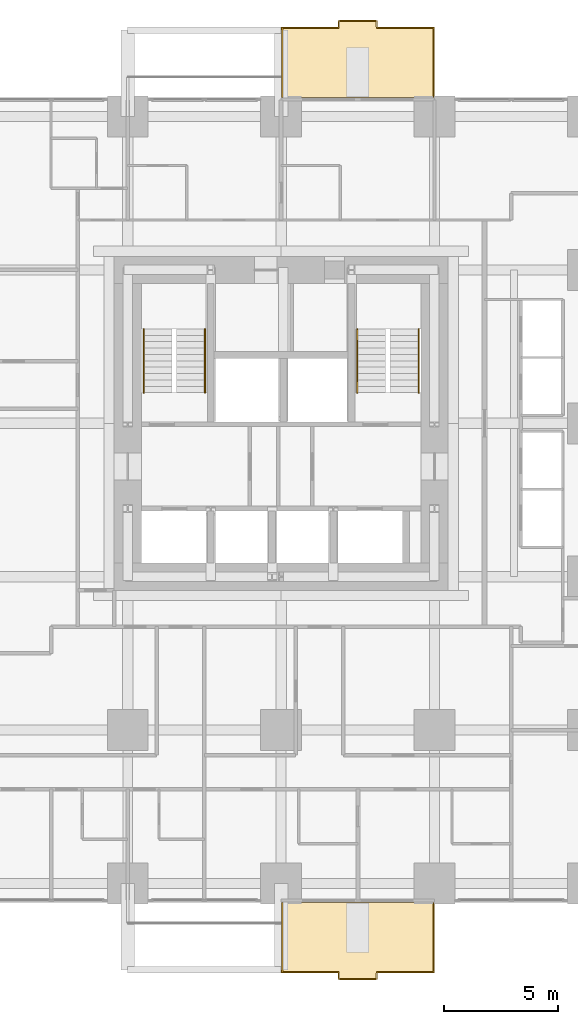
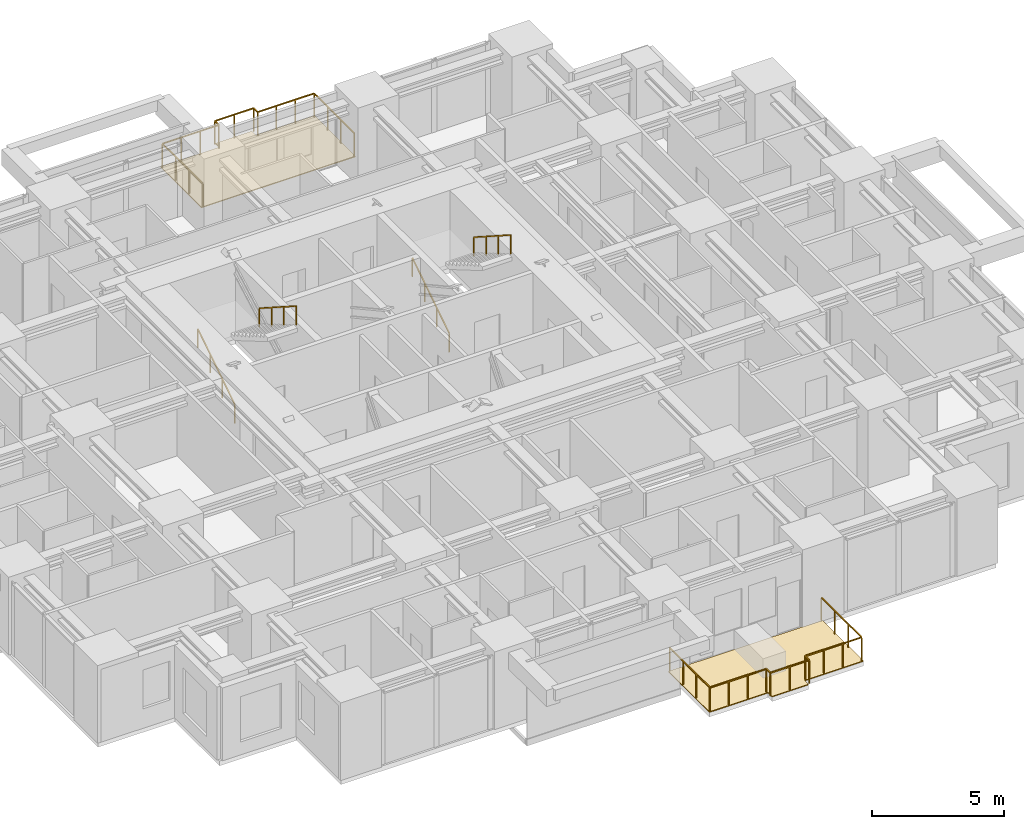
# One storey, part 12 of 12: 6 railings, 2 coverings.
"""IFC4 building model written with IfcOpenShell, lengths in metres."""

from ifc_helpers import new_model, si_unit, direction, frame, origin, origin_2d, place, context, subcontext, project, spatial, polyline, rectangle, outline, extrude, material, layer, layer_set, type_object, element, save


model = new_model("IFC4")

# Units and contexts
model_context = context("Model", 3, precision=1e-05, world=origin(), true_north=direction((0.0, 1.0)))
body_context = subcontext(model_context, "Body", "Model", "MODEL_VIEW")
ifc_project = project(units=[si_unit("LENGTHUNIT", "METRE"), si_unit("AREAUNIT", "SQUARE_METRE"), si_unit("VOLUMEUNIT", "CUBIC_METRE"), si_unit("PLANEANGLEUNIT", "RADIAN"), si_unit("MASSUNIT", "GRAM", prefix="KILO")], contexts=[model_context])

# Site, building, storey
site_placement = place(None, origin())
site = spatial("IfcSite", under=ifc_project, at=site_placement, CompositionType="ELEMENT")
building_placement = place(site_placement, origin())
building = spatial("IfcBuilding", under=site, at=building_placement, Name="Nyansa Garden Tower", CompositionType="ELEMENT")
storey_placement = place(building_placement, frame((0.0, 0.0, 98.10009765625)))
storey = spatial("IfcBuildingStorey", under=building, at=storey_placement, Name="L26", CompositionType="ELEMENT", Elevation=98.10009765625)

# Coverings
ifc_material_1 = material(Name="Hardwood decking on pedestals", Category="wood")
ifc_layer = layer(ifc_material_1, 0.0400390625)
ifc_layer_set = layer_set([ifc_layer], Name="Balcony decking DK40")
covering_type = type_object("IfcCoveringType", Name="Balcony decking DK40", PredefinedType="FLOORING", material=ifc_layer_set)
covering_1_placement = place(storey_placement, frame((0.0, 0.0, -0.0400390625)))
element("IfcCovering", 1, at=covering_1_placement, inside=storey, type_object=covering_type, Name="Balcony decking L26", PredefinedType="FLOORING", context=body_context, shape_type="SweptSolid", body=[
    extrude(outline(polyline([(20.25, -0.85009765625), (27.0, -0.85009765625), (27.0, -3.949951171875), (24.425048828125, -3.949951171875), (24.425048828125, -4.25), (22.824951171875, -4.25), (22.824951171875, -3.949951171875), (20.25, -3.949951171875), (20.25, -0.85009765625)])), origin(), (0.0, 0.0, 1.0), 0.0400390625),
])
covering_2_placement = place(storey_placement, frame((0.0, 0.0, -0.0400390625)))
element("IfcCovering", 2, at=covering_2_placement, inside=storey, type_object=covering_type, Name="Balcony decking L26", PredefinedType="FLOORING", context=body_context, shape_type="SweptSolid", body=[
    extrude(outline(polyline([(20.25, 34.60009765625), (27.0, 34.60009765625), (27.0, 37.699951171875), (24.425048828125, 37.699951171875), (24.425048828125, 38.0), (22.824951171875, 38.0), (22.824951171875, 37.699951171875), (20.25, 37.699951171875), (20.25, 34.60009765625)])), origin(), (0.0, 0.0, 1.0), 0.0400390625),
])

# Railings
ifc_material_2 = material(Name="Black powder-coated steel balusters, laminated glass infill", Category="steel")
railing_type_1 = type_object("IfcRailingType", Name="Balcony guard G1", PredefinedType="GUARDRAIL", material=ifc_material_2)
railing_1_placement = place(storey_placement, frame((20.300048828125, -0.85009765625, 0.0)))
element("IfcRailing", 3, at=railing_1_placement, inside=storey, type_object=railing_type_1, Name="Balcony guard L26", PredefinedType="GUARDRAIL", context=body_context, shape_type="SweptSolid", body=[
    extrude(rectangle(XDim=0.048095703125, YDim=0.048095703125, at=origin_2d()), frame((0.0, 0.0, 1.076171875), z_axis=(0.0, -1.0, 0.0), x_axis=(1.0, 0.0, 0.0)), (0.0, 0.0, 1.0), 3.0498046875),
    extrude(rectangle(XDim=0.048095703125, YDim=0.048095703125, at=origin_2d()), frame((0.0, -3.0498046875, 1.076171875), z_axis=(1.0, 0.0, 0.0), x_axis=(0.0, 1.0, 0.0)), (0.0, 0.0, 1.0), 2.474853515625),
    extrude(rectangle(XDim=0.048095703125, YDim=0.048095703125, at=origin_2d()), frame((2.474853515625, -3.0498046875, 1.076171875), z_axis=(0.0, -1.0, 0.0), x_axis=(1.0, 0.0, 0.0)), (0.0, 0.0, 1.0), 0.300048828125),
    extrude(rectangle(XDim=0.048095703125, YDim=0.048095703125, at=origin_2d()), frame((2.474853515625, -3.349853515625, 1.076171875), z_axis=(1.0, 0.0, 0.0), x_axis=(0.0, 1.0, 0.0)), (0.0, 0.0, 1.0), 1.7001953125),
    extrude(rectangle(XDim=0.048095703125, YDim=0.048095703125, at=origin_2d()), frame((4.175048828125, -3.349853515625, 1.076171875), z_axis=(0.0, 1.0, 0.0), x_axis=(-1.0, 0.0, 0.0)), (0.0, 0.0, 1.0), 0.300048828125),
    extrude(rectangle(XDim=0.048095703125, YDim=0.048095703125, at=origin_2d()), frame((4.175048828125, -3.0498046875, 1.076171875), z_axis=(1.0, 0.0, 0.0), x_axis=(0.0, 1.0, 0.0)), (0.0, 0.0, 1.0), 2.474853515625),
    extrude(rectangle(XDim=0.048095703125, YDim=0.048095703125, at=origin_2d()), frame((6.64990234375, -3.0498046875, 1.076171875), z_axis=(0.0, 1.0, 0.0), x_axis=(-1.0, 0.0, 0.0)), (0.0, 0.0, 1.0), 3.0498046875),
    extrude(rectangle(XDim=0.0419921875, YDim=0.0419921875, at=origin_2d()), origin(), (0.0, 0.0, 1.0), 1.052001953125),
    extrude(rectangle(XDim=0.0419921875, YDim=0.0419921875, at=origin_2d()), frame((0.0, -1.0166015625, 0.0)), (0.0, 0.0, 1.0), 1.052001953125),
    extrude(rectangle(XDim=0.0419921875, YDim=0.0419921875, at=origin_2d()), frame((0.0, -2.033203125, 0.0)), (0.0, 0.0, 1.0), 1.052001953125),
    extrude(rectangle(XDim=0.0419921875, YDim=0.0419921875, at=origin_2d()), frame((0.0, -3.0498046875, 0.0)), (0.0, 0.0, 1.0), 1.052001953125),
    extrude(rectangle(XDim=0.0419921875, YDim=0.0419921875, at=origin_2d()), frame((0.824951171875, -3.0498046875, 0.0)), (0.0, 0.0, 1.0), 1.052001953125),
    extrude(rectangle(XDim=0.0419921875, YDim=0.0419921875, at=origin_2d()), frame((1.64990234375, -3.0498046875, 0.0)), (0.0, 0.0, 1.0), 1.052001953125),
    extrude(rectangle(XDim=0.0419921875, YDim=0.0419921875, at=origin_2d()), frame((2.474853515625, -3.0498046875, 0.0)), (0.0, 0.0, 1.0), 1.052001953125),
    extrude(rectangle(XDim=0.0419921875, YDim=0.0419921875, at=origin_2d()), frame((2.474853515625, -3.349853515625, 0.0)), (0.0, 0.0, 1.0), 1.052001953125),
    extrude(rectangle(XDim=0.0419921875, YDim=0.0419921875, at=origin_2d()), frame((3.324951171875, -3.349853515625, 0.0)), (0.0, 0.0, 1.0), 1.052001953125),
    extrude(rectangle(XDim=0.0419921875, YDim=0.0419921875, at=origin_2d()), frame((4.175048828125, -3.349853515625, 0.0)), (0.0, 0.0, 1.0), 1.052001953125),
    extrude(rectangle(XDim=0.0419921875, YDim=0.0419921875, at=origin_2d()), frame((4.175048828125, -3.0498046875, 0.0)), (0.0, 0.0, 1.0), 1.052001953125),
    extrude(rectangle(XDim=0.0419921875, YDim=0.0419921875, at=origin_2d()), frame((5.0, -3.0498046875, 0.0)), (0.0, 0.0, 1.0), 1.052001953125),
    extrude(rectangle(XDim=0.0419921875, YDim=0.0419921875, at=origin_2d()), frame((5.824951171875, -3.0498046875, 0.0)), (0.0, 0.0, 1.0), 1.052001953125),
    extrude(rectangle(XDim=0.0419921875, YDim=0.0419921875, at=origin_2d()), frame((6.64990234375, -3.0498046875, 0.0)), (0.0, 0.0, 1.0), 1.052001953125),
    extrude(rectangle(XDim=0.0419921875, YDim=0.0419921875, at=origin_2d()), frame((6.64990234375, -2.033203125, 0.0)), (0.0, 0.0, 1.0), 1.052001953125),
    extrude(rectangle(XDim=0.0419921875, YDim=0.0419921875, at=origin_2d()), frame((6.64990234375, -1.0166015625, 0.0)), (0.0, 0.0, 1.0), 1.052001953125),
    extrude(rectangle(XDim=0.0419921875, YDim=0.0419921875, at=origin_2d()), frame((6.64990234375, 0.0, 0.0)), (0.0, 0.0, 1.0), 1.052001953125),
])
railing_2_placement = place(storey_placement, frame((20.300048828125, 34.60009765625, 0.0)))
element("IfcRailing", 4, at=railing_2_placement, inside=storey, type_object=railing_type_1, Name="Balcony guard L26", PredefinedType="GUARDRAIL", context=body_context, shape_type="SweptSolid", body=[
    extrude(rectangle(XDim=0.048095703125, YDim=0.048095703125, at=origin_2d()), frame((0.0, 0.0, 1.076171875), z_axis=(0.0, 1.0, 0.0), x_axis=(-1.0, 0.0, 0.0)), (0.0, 0.0, 1.0), 3.0498046875),
    extrude(rectangle(XDim=0.048095703125, YDim=0.048095703125, at=origin_2d()), frame((0.0, 3.0498046875, 1.076171875), z_axis=(1.0, 0.0, 0.0), x_axis=(0.0, 1.0, 0.0)), (0.0, 0.0, 1.0), 2.474853515625),
    extrude(rectangle(XDim=0.048095703125, YDim=0.048095703125, at=origin_2d()), frame((2.474853515625, 3.0498046875, 1.076171875), z_axis=(0.0, 1.0, 0.0), x_axis=(-1.0, 0.0, 0.0)), (0.0, 0.0, 1.0), 0.300048828125),
    extrude(rectangle(XDim=0.048095703125, YDim=0.048095703125, at=origin_2d()), frame((2.474853515625, 3.349853515625, 1.076171875), z_axis=(1.0, 0.0, 0.0), x_axis=(0.0, 1.0, 0.0)), (0.0, 0.0, 1.0), 1.7001953125),
    extrude(rectangle(XDim=0.048095703125, YDim=0.048095703125, at=origin_2d()), frame((4.175048828125, 3.349853515625, 1.076171875), z_axis=(0.0, -1.0, 0.0), x_axis=(1.0, 0.0, 0.0)), (0.0, 0.0, 1.0), 0.300048828125),
    extrude(rectangle(XDim=0.048095703125, YDim=0.048095703125, at=origin_2d()), frame((4.175048828125, 3.0498046875, 1.076171875), z_axis=(1.0, 0.0, 0.0), x_axis=(0.0, 1.0, 0.0)), (0.0, 0.0, 1.0), 2.474853515625),
    extrude(rectangle(XDim=0.048095703125, YDim=0.048095703125, at=origin_2d()), frame((6.64990234375, 3.0498046875, 1.076171875), z_axis=(0.0, -1.0, 0.0), x_axis=(1.0, 0.0, 0.0)), (0.0, 0.0, 1.0), 3.0498046875),
    extrude(rectangle(XDim=0.0419921875, YDim=0.0419921875, at=origin_2d()), origin(), (0.0, 0.0, 1.0), 1.052001953125),
    extrude(rectangle(XDim=0.0419921875, YDim=0.0419921875, at=origin_2d()), frame((0.0, 1.0166015625, 0.0)), (0.0, 0.0, 1.0), 1.052001953125),
    extrude(rectangle(XDim=0.0419921875, YDim=0.0419921875, at=origin_2d()), frame((0.0, 2.033203125, 0.0)), (0.0, 0.0, 1.0), 1.052001953125),
    extrude(rectangle(XDim=0.0419921875, YDim=0.0419921875, at=origin_2d()), frame((0.0, 3.0498046875, 0.0)), (0.0, 0.0, 1.0), 1.052001953125),
    extrude(rectangle(XDim=0.0419921875, YDim=0.0419921875, at=origin_2d()), frame((0.824951171875, 3.0498046875, 0.0)), (0.0, 0.0, 1.0), 1.052001953125),
    extrude(rectangle(XDim=0.0419921875, YDim=0.0419921875, at=origin_2d()), frame((1.64990234375, 3.0498046875, 0.0)), (0.0, 0.0, 1.0), 1.052001953125),
    extrude(rectangle(XDim=0.0419921875, YDim=0.0419921875, at=origin_2d()), frame((2.474853515625, 3.0498046875, 0.0)), (0.0, 0.0, 1.0), 1.052001953125),
    extrude(rectangle(XDim=0.0419921875, YDim=0.0419921875, at=origin_2d()), frame((2.474853515625, 3.349853515625, 0.0)), (0.0, 0.0, 1.0), 1.052001953125),
    extrude(rectangle(XDim=0.0419921875, YDim=0.0419921875, at=origin_2d()), frame((3.324951171875, 3.349853515625, 0.0)), (0.0, 0.0, 1.0), 1.052001953125),
    extrude(rectangle(XDim=0.0419921875, YDim=0.0419921875, at=origin_2d()), frame((4.175048828125, 3.349853515625, 0.0)), (0.0, 0.0, 1.0), 1.052001953125),
    extrude(rectangle(XDim=0.0419921875, YDim=0.0419921875, at=origin_2d()), frame((4.175048828125, 3.0498046875, 0.0)), (0.0, 0.0, 1.0), 1.052001953125),
    extrude(rectangle(XDim=0.0419921875, YDim=0.0419921875, at=origin_2d()), frame((5.0, 3.0498046875, 0.0)), (0.0, 0.0, 1.0), 1.052001953125),
    extrude(rectangle(XDim=0.0419921875, YDim=0.0419921875, at=origin_2d()), frame((5.824951171875, 3.0498046875, 0.0)), (0.0, 0.0, 1.0), 1.052001953125),
    extrude(rectangle(XDim=0.0419921875, YDim=0.0419921875, at=origin_2d()), frame((6.64990234375, 3.0498046875, 0.0)), (0.0, 0.0, 1.0), 1.052001953125),
    extrude(rectangle(XDim=0.0419921875, YDim=0.0419921875, at=origin_2d()), frame((6.64990234375, 2.033203125, 0.0)), (0.0, 0.0, 1.0), 1.052001953125),
    extrude(rectangle(XDim=0.0419921875, YDim=0.0419921875, at=origin_2d()), frame((6.64990234375, 1.0166015625, 0.0)), (0.0, 0.0, 1.0), 1.052001953125),
    extrude(rectangle(XDim=0.0419921875, YDim=0.0419921875, at=origin_2d()), frame((6.64990234375, 0.0, 0.0)), (0.0, 0.0, 1.0), 1.052001953125),
])
ifc_material_3 = material(Name="Black powder-coated steel tube 48 mm", Category="steel")
railing_type_2 = type_object("IfcRailingType", Name="Stair handrail HR1", PredefinedType="HANDRAIL", material=ifc_material_3)
railing_3_placement = place(storey_placement, frame((14.199951171875, 21.60009765625, 0.0)))
element("IfcRailing", 5, at=railing_3_placement, inside=storey, type_object=railing_type_2, Name="Stair S1 handrail L26", PredefinedType="HANDRAIL", context=body_context, shape_type="SweptSolid", body=[
    extrude(rectangle(XDim=0.048095703125, YDim=0.048095703125, at=origin_2d()), frame((0.0, 0.0, 0.8759765625), z_axis=(0.0, 0.841188008214, 0.540742762169), x_axis=(-1.0, 0.0, 0.0)), (0.0, 0.0, 1.0), 3.328369140625),
    extrude(rectangle(XDim=0.0419921875, YDim=0.0419921875, at=origin_2d()), origin(), (0.0, 0.0, 1.0), 0.851806640625),
    extrude(rectangle(XDim=0.0419921875, YDim=0.0419921875, at=origin_2d()), frame((0.0, 0.933349609375, 0.599853515625)), (0.0, 0.0, 1.0), 0.851806640625),
    extrude(rectangle(XDim=0.0419921875, YDim=0.0419921875, at=origin_2d()), frame((0.0, 1.866455078125, 1.199951171875)), (0.0, 0.0, 1.0), 0.851806640625),
    extrude(rectangle(XDim=0.0419921875, YDim=0.0419921875, at=origin_2d()), frame((0.0, 2.7998046875, 1.7998046875)), (0.0, 0.0, 1.0), 0.851806640625),
])
railing_4_placement = place(storey_placement, frame((16.89990234375, 24.39990234375, 1.7998046875)))
element("IfcRailing", 6, at=railing_4_placement, inside=storey, type_object=railing_type_2, Name="Stair S1 handrail L26", PredefinedType="HANDRAIL", context=body_context, shape_type="SweptSolid", body=[
    extrude(rectangle(XDim=0.048095703125, YDim=0.048095703125, at=origin_2d()), frame((0.0, 0.0, 0.8759765625), z_axis=(0.0, -0.841154643086, 0.54079466197), x_axis=(1.0, 0.0, 0.0)), (0.0, 0.0, 1.0), 3.32861328125),
    extrude(rectangle(XDim=0.0419921875, YDim=0.0419921875, at=origin_2d()), origin(), (0.0, 0.0, 1.0), 0.851806640625),
    extrude(rectangle(XDim=0.0419921875, YDim=0.0419921875, at=origin_2d()), frame((0.0, -0.933349609375, 0.60009765625)), (0.0, 0.0, 1.0), 0.851806640625),
    extrude(rectangle(XDim=0.0419921875, YDim=0.0419921875, at=origin_2d()), frame((0.0, -1.866455078125, 1.199951171875)), (0.0, 0.0, 1.0), 0.851806640625),
    extrude(rectangle(XDim=0.0419921875, YDim=0.0419921875, at=origin_2d()), frame((0.0, -2.7998046875, 1.800048828125)), (0.0, 0.0, 1.0), 0.851806640625),
])
railing_5_placement = place(storey_placement, frame((23.60009765625, 21.60009765625, 0.0)))
element("IfcRailing", 7, at=railing_5_placement, inside=storey, type_object=railing_type_2, Name="Stair S2 handrail L26", PredefinedType="HANDRAIL", context=body_context, shape_type="SweptSolid", body=[
    extrude(rectangle(XDim=0.048095703125, YDim=0.048095703125, at=origin_2d()), frame((0.0, 0.0, 0.8759765625), z_axis=(0.0, 0.841188008214, 0.540742762169), x_axis=(-1.0, 0.0, 0.0)), (0.0, 0.0, 1.0), 3.328369140625),
    extrude(rectangle(XDim=0.0419921875, YDim=0.0419921875, at=origin_2d()), origin(), (0.0, 0.0, 1.0), 0.851806640625),
    extrude(rectangle(XDim=0.0419921875, YDim=0.0419921875, at=origin_2d()), frame((0.0, 0.933349609375, 0.599853515625)), (0.0, 0.0, 1.0), 0.851806640625),
    extrude(rectangle(XDim=0.0419921875, YDim=0.0419921875, at=origin_2d()), frame((0.0, 1.866455078125, 1.199951171875)), (0.0, 0.0, 1.0), 0.851806640625),
    extrude(rectangle(XDim=0.0419921875, YDim=0.0419921875, at=origin_2d()), frame((0.0, 2.7998046875, 1.7998046875)), (0.0, 0.0, 1.0), 0.851806640625),
])
railing_6_placement = place(storey_placement, frame((26.300048828125, 24.39990234375, 1.7998046875)))
element("IfcRailing", 8, at=railing_6_placement, inside=storey, type_object=railing_type_2, Name="Stair S2 handrail L26", PredefinedType="HANDRAIL", context=body_context, shape_type="SweptSolid", body=[
    extrude(rectangle(XDim=0.048095703125, YDim=0.048095703125, at=origin_2d()), frame((0.0, 0.0, 0.8759765625), z_axis=(0.0, -0.841154643086, 0.54079466197), x_axis=(1.0, 0.0, 0.0)), (0.0, 0.0, 1.0), 3.32861328125),
    extrude(rectangle(XDim=0.0419921875, YDim=0.0419921875, at=origin_2d()), origin(), (0.0, 0.0, 1.0), 0.851806640625),
    extrude(rectangle(XDim=0.0419921875, YDim=0.0419921875, at=origin_2d()), frame((0.0, -0.933349609375, 0.60009765625)), (0.0, 0.0, 1.0), 0.851806640625),
    extrude(rectangle(XDim=0.0419921875, YDim=0.0419921875, at=origin_2d()), frame((0.0, -1.866455078125, 1.199951171875)), (0.0, 0.0, 1.0), 0.851806640625),
    extrude(rectangle(XDim=0.0419921875, YDim=0.0419921875, at=origin_2d()), frame((0.0, -2.7998046875, 1.800048828125)), (0.0, 0.0, 1.0), 0.851806640625),
])

save(model, "model.ifc")
